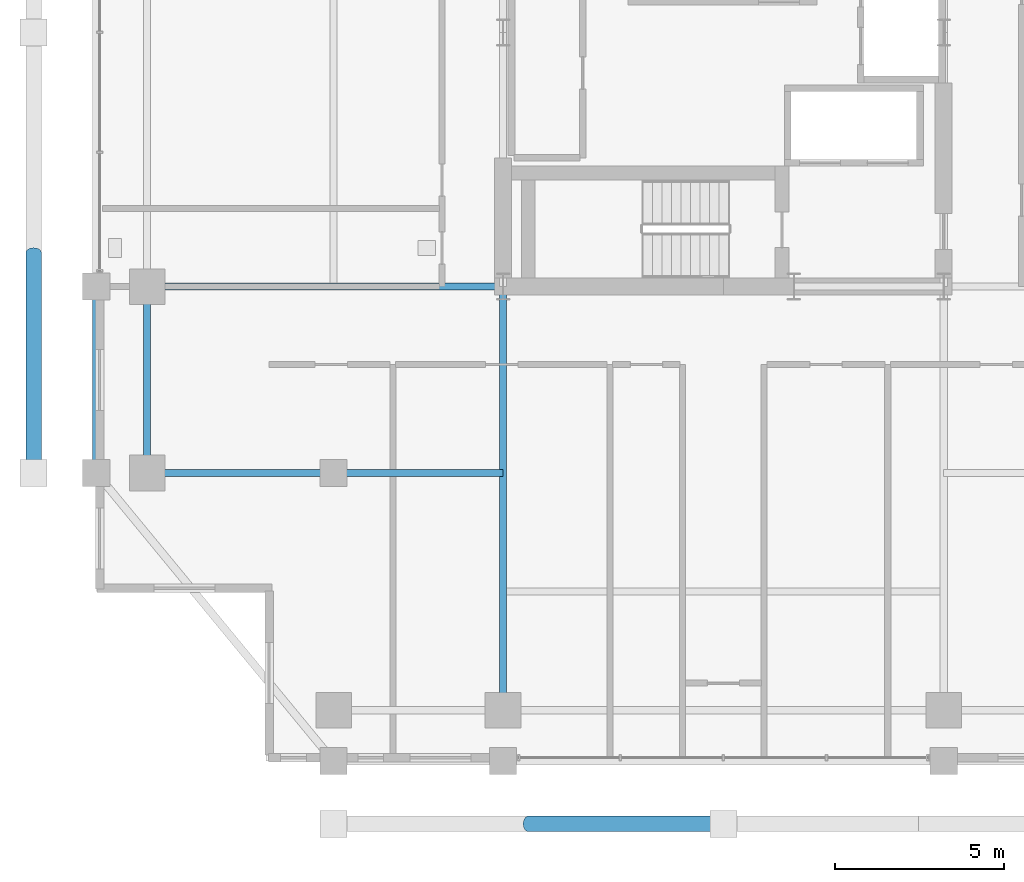
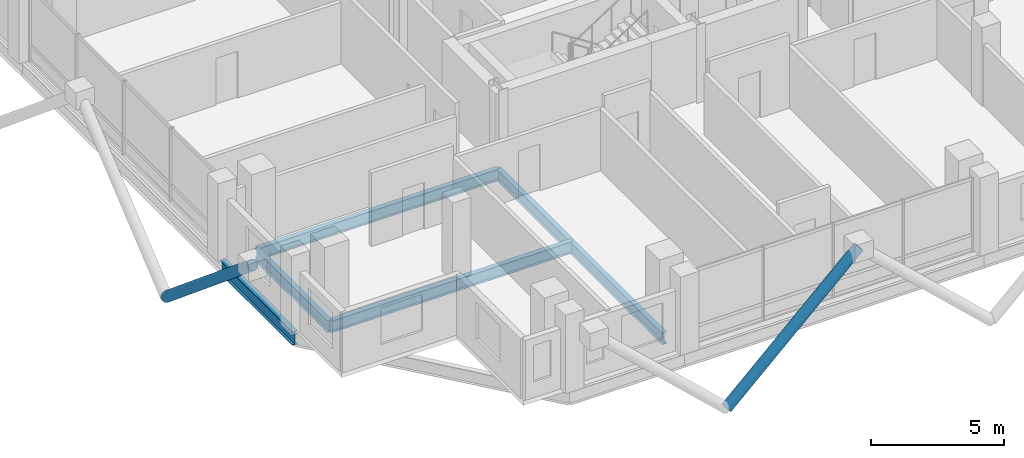
# One storey, part 3 of 23: 6 beams, 2 members.
"""IFC4 building model written with IfcOpenShell, lengths in metres."""

from ifc_helpers import new_model, si_unit, direction, frame, origin, origin_2d, place, context, subcontext, project, spatial, hollow_circle, i_section, extrude, material, material_profile, profile_set, type_object, element, save


model = new_model("IFC4")

# Units and contexts
model_context = context("Model", 3, precision=1e-05, world=origin(), true_north=direction((0.0, 1.0)))
body_context = subcontext(model_context, "Body", "Model", "MODEL_VIEW")
ifc_project = project(units=[si_unit("LENGTHUNIT", "METRE"), si_unit("AREAUNIT", "SQUARE_METRE"), si_unit("VOLUMEUNIT", "CUBIC_METRE"), si_unit("PLANEANGLEUNIT", "RADIAN"), si_unit("MASSUNIT", "GRAM", prefix="KILO")], contexts=[model_context])

# Site, building, storey
site_placement = place(None, origin())
site = spatial("IfcSite", under=ifc_project, at=site_placement, CompositionType="ELEMENT")
building_placement = place(site_placement, origin())
building = spatial("IfcBuilding", under=site, at=building_placement, Name="Barlavira Tower and Art Museum", CompositionType="ELEMENT")
storey_placement = place(building_placement, frame((0.0, 0.0, 205.199951171875)))
storey = spatial("IfcBuildingStorey", under=building, at=storey_placement, Name="L53", CompositionType="ELEMENT", Elevation=205.199951171875)

# Members
ifc_material = material(Name="Steel S355", Category="steel")
ifc_material_profile_1 = material_profile(ifc_material, hollow_circle(Radius=0.228515625, WallThickness=0.02001953125, at=origin_2d()), Name="CHS 457.0x20.0")
ifc_profile_set_1 = profile_set([ifc_material_profile_1], Name="Steel S355")
member_type = type_object("IfcMemberType", Name="Pale-Metal Exoskeleton Diagrid Tube CHS 457x20 Steel S355", PredefinedType="BRACE", material=ifc_profile_set_1)
member_1_placement = place(storey_placement, frame((-5.75, -23.35009765625, -1.919921875), z_axis=(0.728950095515, 0.0, 0.684566839869), x_axis=(0.0, 1.0, 0.0)))
element("IfcMember", 1, at=member_1_placement, inside=storey, type_object=member_type, Name="L53 Exoskeleton Diagrid Tube S", PredefinedType="BRACE", context=body_context, shape_type="SweptSolid", body=[
    extrude(hollow_circle(Radius=0.228515625, WallThickness=0.02001953125, at=origin_2d()), origin(), (0.0, 0.0, 1.0), 7.887939453125),
])
member_2_placement = place(storey_placement, frame((-20.35009765625, -6.5, -1.919921875), z_axis=(0.0, -0.769196053329, 0.639012857104), x_axis=(1.0, 0.0, 0.0)))
element("IfcMember", 2, at=member_2_placement, inside=storey, type_object=member_type, Name="L53 Exoskeleton Diagrid Tube W", PredefinedType="BRACE", context=body_context, shape_type="SweptSolid", body=[
    extrude(hollow_circle(Radius=0.228515625, WallThickness=0.02001953125, at=origin_2d()), origin(), (0.0, 0.0, 1.0), 8.450439453125),
])

# Beams
ifc_material_profile_2 = material_profile(ifc_material, i_section(OverallWidth=0.22998046875, OverallDepth=0.616943359375, WebThickness=0.01318359375, FlangeThickness=0.022216796875, at=origin_2d()), Name="W610x140.0")
ifc_profile_set_2 = profile_set([ifc_material_profile_2], Name="Steel S355")
beam_type_1 = type_object("IfcBeamType", Name="Upper Shaft Spandrel Edge Beam W610x140 Steel S355", PredefinedType="SPANDREL", material=ifc_profile_set_2)
beam_1_placement = place(storey_placement, frame((-18.5, -13.0, -0.528564453125), z_axis=(0.0, 1.0, 0.0), x_axis=(-1.0, 0.0, 0.0)))
element("IfcBeam", 3, at=beam_1_placement, inside=storey, type_object=beam_type_1, Name="L53 Spandrel 15", PredefinedType="SPANDREL", context=body_context, shape_type="SweptSolid", body=[
    extrude(i_section(OverallWidth=0.22998046875, OverallDepth=0.616943359375, WebThickness=0.01318359375, FlangeThickness=0.022216796875, at=origin_2d()), origin(), (0.0, 0.0, 1.0), 5.5),
])
ifc_material_profile_3 = material_profile(ifc_material, i_section(OverallWidth=0.2109375, OverallDepth=0.5390625, WebThickness=0.01171875, FlangeThickness=0.018798828125, at=origin_2d()), Name="W530x109.0")
ifc_profile_set_3 = profile_set([ifc_material_profile_3], Name="Steel S355")
beam_type_2 = type_object("IfcBeamType", Name="Zone 3-4 Primary Floor Girder W530x109 Steel S355", PredefinedType="BEAM", material=ifc_profile_set_3)
beam_2_placement = place(storey_placement, frame((-17.0, -13.0, -0.489501953125), z_axis=(0.0, 1.0, 0.0), x_axis=(-1.0, 0.0, 0.0)))
element("IfcBeam", 4, at=beam_2_placement, inside=storey, type_object=beam_type_2, Name="L53 Girder M-W1", PredefinedType="BEAM", context=body_context, shape_type="SweptSolid", body=[
    extrude(i_section(OverallWidth=0.2109375, OverallDepth=0.5390625, WebThickness=0.01171875, FlangeThickness=0.018798828125, at=origin_2d()), origin(), (0.0, 0.0, 1.0), 5.5),
])
beam_3_placement = place(storey_placement, frame((-6.5, -20.0, -0.489501953125), z_axis=(0.0, 1.0, 0.0), x_axis=(-1.0, 0.0, 0.0)))
element("IfcBeam", 5, at=beam_3_placement, inside=storey, type_object=beam_type_2, Name="L53 Girder R-S1", PredefinedType="BEAM", context=body_context, shape_type="SweptSolid", body=[
    extrude(i_section(OverallWidth=0.2109375, OverallDepth=0.5390625, WebThickness=0.01171875, FlangeThickness=0.018798828125, at=origin_2d()), origin(), (0.0, 0.0, 1.0), 12.5),
])
beam_4_placement = place(storey_placement, frame((-17.0, -7.5, -0.489501953125), z_axis=(1.0, 0.0, 0.0), x_axis=(0.0, 1.0, 0.0)))
element("IfcBeam", 6, at=beam_4_placement, inside=storey, type_object=beam_type_2, Name="L53 Girder R-W1", PredefinedType="BEAM", context=body_context, shape_type="SweptSolid", body=[
    extrude(i_section(OverallWidth=0.2109375, OverallDepth=0.5390625, WebThickness=0.01171875, FlangeThickness=0.018798828125, at=origin_2d()), origin(), (0.0, 0.0, 1.0), 10.5),
])
beam_5_placement = place(storey_placement, frame((-17.0, -13.0, -0.489501953125), z_axis=(1.0, 0.0, 0.0), x_axis=(0.0, 1.0, 0.0)))
element("IfcBeam", 7, at=beam_5_placement, inside=storey, type_object=beam_type_2, Name="L53 Girder I-S1", PredefinedType="BEAM", context=body_context, shape_type="SweptSolid", body=[
    extrude(i_section(OverallWidth=0.2109375, OverallDepth=0.5390625, WebThickness=0.01171875, FlangeThickness=0.018798828125, at=origin_2d()), origin(), (0.0, 0.0, 1.0), 5.5),
])
beam_6_placement = place(storey_placement, frame((-11.5, -13.0, -0.489501953125), z_axis=(1.0, 0.0, 0.0), x_axis=(0.0, 1.0, 0.0)))
element("IfcBeam", 8, at=beam_6_placement, inside=storey, type_object=beam_type_2, Name="L53 Girder I-S2", PredefinedType="BEAM", context=body_context, shape_type="SweptSolid", body=[
    extrude(i_section(OverallWidth=0.2109375, OverallDepth=0.5390625, WebThickness=0.01171875, FlangeThickness=0.018798828125, at=origin_2d()), origin(), (0.0, 0.0, 1.0), 5.0),
])

save(model, "model.ifc")
